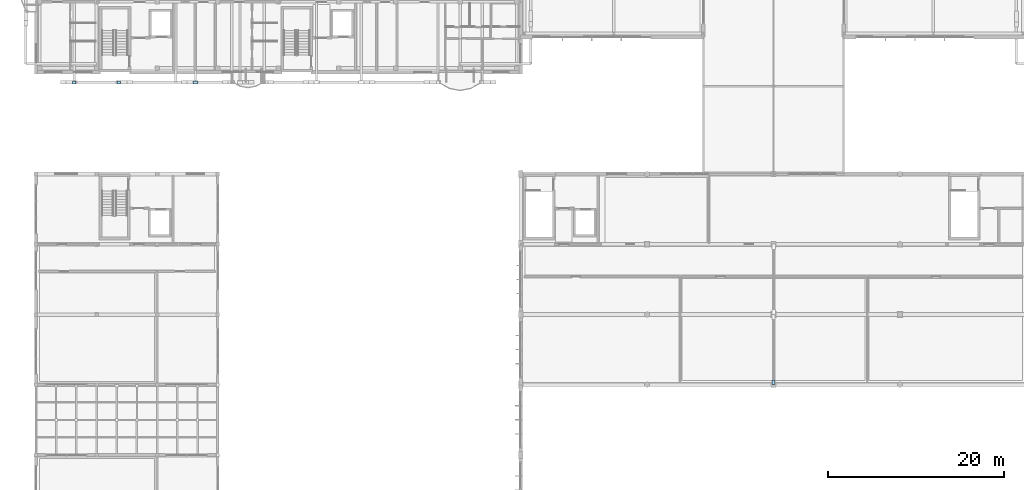
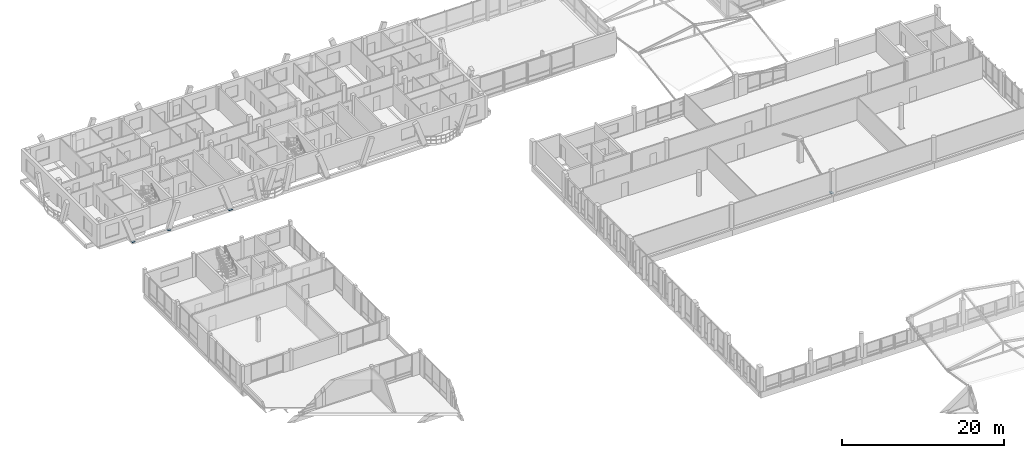
# One storey, part 136 of 189: 4 plates.
"""IFC4 building model written with IfcOpenShell, lengths in metres."""

from ifc_helpers import new_model, si_unit, direction, frame, origin, origin_2d, place, context, subcontext, project, spatial, rectangle, extrude, material, layer, layer_set, type_object, element, save


model = new_model("IFC4")

# Units and contexts
model_context = context("Model", 3, precision=1e-05, world=origin(), true_north=direction((0.0, 1.0)))
body_context = subcontext(model_context, "Body", "Model", "MODEL_VIEW")
ifc_project = project(units=[si_unit("LENGTHUNIT", "METRE"), si_unit("AREAUNIT", "SQUARE_METRE"), si_unit("VOLUMEUNIT", "CUBIC_METRE"), si_unit("PLANEANGLEUNIT", "RADIAN"), si_unit("MASSUNIT", "GRAM", prefix="KILO")], contexts=[model_context])

# Site, building, storey
site_placement = place(None, origin())
site = spatial("IfcSite", under=ifc_project, at=site_placement, CompositionType="ELEMENT")
building_placement = place(site_placement, origin())
building = spatial("IfcBuilding", under=site, at=building_placement, Name="Zavelmont Quarter", CompositionType="ELEMENT")
storey_placement = place(building_placement, frame((0.0, 0.0, 4.39990234375)))
storey = spatial("IfcBuildingStorey", under=building, at=storey_placement, Name="L01", CompositionType="ELEMENT", Elevation=4.39990234375)

# Plates
ifc_material = material(Name="Steel S355", Category="steel")
ifc_layer_1 = layer(ifc_material, 0.02490234375)
ifc_layer_set_1 = layer_set([ifc_layer_1], Name="Steel S355")
plate_type_1 = type_object("IfcPlateType", Name="NP03", PredefinedType="SHEET", material=ifc_layer_set_1)
for number, where, z_axis, x_axis, name in (
    (1, (4.36083984375, 96.43798828125, -0.21240234375), (0.0, 0.0, 1.0), (1.0, 0.0, 0.0), "L01 steel connection plate NP03 at 2/P"),
    (2, (9.439208984375, 96.43798828125, -0.21240234375), (0.0, 0.0, 1.0), (1.0, 0.0, 0.0), "L01 steel connection plate NP03 at 2/P"),
):
    element("IfcPlate", number, at=place(storey_placement, frame(where, z_axis=z_axis, x_axis=x_axis)), inside=storey, type_object=plate_type_1, Name=name, PredefinedType="SHEET", context=body_context, shape_type="SweptSolid", body=[
        extrude(rectangle(XDim=0.43994140625, YDim=0.320068359375, at=origin_2d()), origin(), (0.0, 0.0, 1.0), 0.02490234375),
    ])
ifc_layer_2 = layer(ifc_material, 0.028076171875)
ifc_layer_set_2 = layer_set([ifc_layer_2], Name="Steel S355")
plate_type_2 = type_object("IfcPlateType", Name="NP04", PredefinedType="SHEET", material=ifc_layer_set_2)
for number, where, z_axis, x_axis, name in (
    (3, (18.160888671875, 96.43798828125, -0.2138671875), (0.0, 0.0, 1.0), (1.0, 0.0, 0.0), "L01 steel connection plate NP04 at 4/P"),
    (4, (84.0, 62.280029296875, 0.005859375), (0.0, 0.0, 1.0), (0.0, 1.0, 0.0), "L01 steel connection plate NP04 at 13/K"),
):
    element("IfcPlate", number, at=place(storey_placement, frame(where, z_axis=z_axis, x_axis=x_axis)), inside=storey, type_object=plate_type_2, Name=name, PredefinedType="SHEET", context=body_context, shape_type="SweptSolid", body=[
        extrude(rectangle(XDim=0.52001953125, YDim=0.360107421875, at=origin_2d()), origin(), (0.0, 0.0, 1.0), 0.028076171875),
    ])

save(model, "model.ifc")
